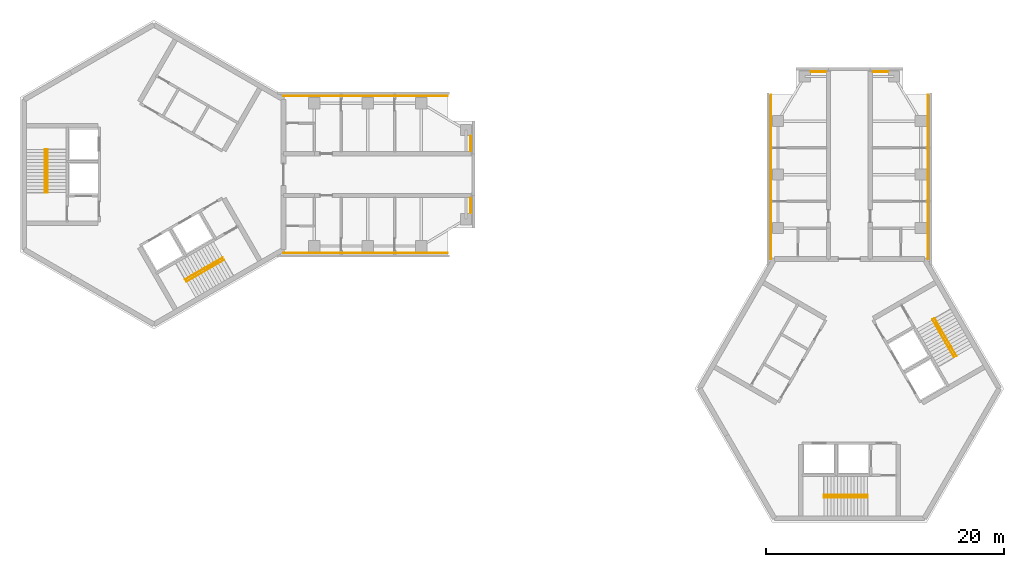
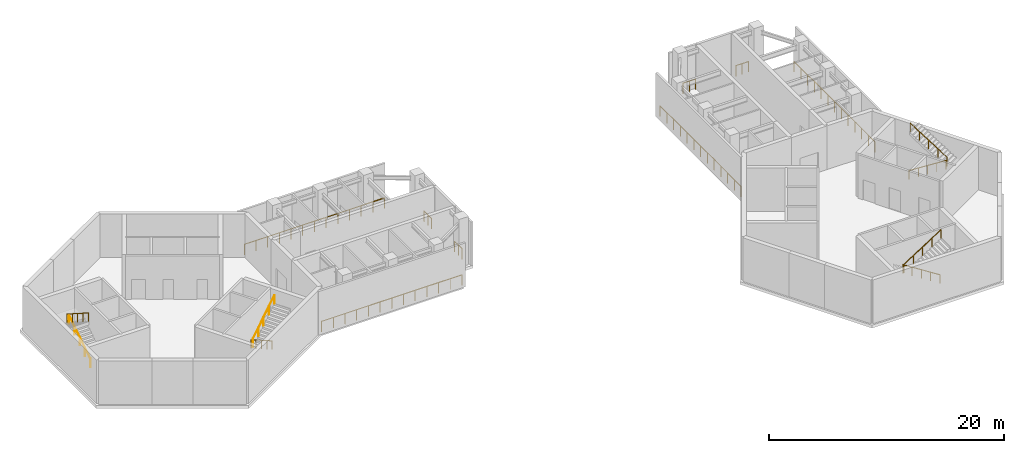
# One storey, part 8 of 8: 16 railings.
"""IFC4 building model written with IfcOpenShell, lengths in metres."""

from ifc_helpers import new_model, si_unit, direction, frame, origin, origin_2d, place, context, subcontext, project, spatial, circle, extrude, material, type_object, element, save


model = new_model("IFC4")

# Units and contexts
model_context = context("Model", 3, precision=1e-05, world=origin(), true_north=direction((0.0, 1.0)))
body_context = subcontext(model_context, "Body", "Model", "MODEL_VIEW")
ifc_project = project(units=[si_unit("LENGTHUNIT", "METRE"), si_unit("AREAUNIT", "SQUARE_METRE"), si_unit("VOLUMEUNIT", "CUBIC_METRE"), si_unit("PLANEANGLEUNIT", "RADIAN"), si_unit("MASSUNIT", "GRAM", prefix="KILO")], contexts=[model_context])

# Site, building, storey
site_placement = place(None, origin())
site = spatial("IfcSite", under=ifc_project, at=site_placement, CompositionType="ELEMENT")
building_placement = place(site_placement, origin())
building = spatial("IfcBuilding", under=site, at=building_placement, Name="Upepo Twin Towers", CompositionType="ELEMENT")
storey_placement = place(building_placement, frame((0.0, 0.0, 291.5)))
storey = spatial("IfcBuildingStorey", under=building, at=storey_placement, Name="L71", CompositionType="ELEMENT", Elevation=291.5)

# Railings
ifc_material_1 = material(Name="Stainless steel and glass", Category="steel")
railing_type_1 = type_object("IfcRailingType", Name="Guard 1100", PredefinedType="GUARDRAIL", material=ifc_material_1)
railing_1_placement = place(storey_placement, frame((10.885009765625, 6.60009765625, 0.0)))
element("IfcRailing", 1, at=railing_1_placement, inside=storey, type_object=railing_type_1, Name="T1 L71 open floor guard", PredefinedType="GUARDRAIL", context=body_context, shape_type="SweptSolid", body=[
    extrude(circle(Radius=0.02392578125, at=origin_2d()), frame((0.0, 0.0, 1.076171875), z_axis=(1.0, 0.0, 0.0), x_axis=(0.0, 1.0, 0.0)), (0.0, 0.0, 1.0), 13.81494140625),
    extrude(circle(Radius=0.02099609375, at=origin_2d()), origin(), (0.0, 0.0, 1.0), 1.052001953125),
    extrude(circle(Radius=0.02099609375, at=origin_2d()), frame((1.1513671875, 0.0, 0.0)), (0.0, 0.0, 1.0), 1.052001953125),
    extrude(circle(Radius=0.02099609375, at=origin_2d()), frame((2.302490234375, 0.0, 0.0)), (0.0, 0.0, 1.0), 1.052001953125),
    extrude(circle(Radius=0.02099609375, at=origin_2d()), frame((3.45361328125, 0.0, 0.0)), (0.0, 0.0, 1.0), 1.052001953125),
    extrude(circle(Radius=0.02099609375, at=origin_2d()), frame((4.60498046875, 0.0, 0.0)), (0.0, 0.0, 1.0), 1.052001953125),
    extrude(circle(Radius=0.02099609375, at=origin_2d()), frame((5.75634765625, 0.0, 0.0)), (0.0, 0.0, 1.0), 1.052001953125),
    extrude(circle(Radius=0.02099609375, at=origin_2d()), frame((6.907470703125, 0.0, 0.0)), (0.0, 0.0, 1.0), 1.052001953125),
    extrude(circle(Radius=0.02099609375, at=origin_2d()), frame((8.05859375, 0.0, 0.0)), (0.0, 0.0, 1.0), 1.052001953125),
    extrude(circle(Radius=0.02099609375, at=origin_2d()), frame((9.2099609375, 0.0, 0.0)), (0.0, 0.0, 1.0), 1.052001953125),
    extrude(circle(Radius=0.02099609375, at=origin_2d()), frame((10.361328125, 0.0, 0.0)), (0.0, 0.0, 1.0), 1.052001953125),
    extrude(circle(Radius=0.02099609375, at=origin_2d()), frame((11.512451171875, 0.0, 0.0)), (0.0, 0.0, 1.0), 1.052001953125),
    extrude(circle(Radius=0.02099609375, at=origin_2d()), frame((12.66357421875, 0.0, 0.0)), (0.0, 0.0, 1.0), 1.052001953125),
    extrude(circle(Radius=0.02099609375, at=origin_2d()), frame((13.81494140625, 0.0, 0.0)), (0.0, 0.0, 1.0), 1.052001953125),
])
railing_2_placement = place(storey_placement, frame((24.699951171875, -6.60009765625, 0.0)))
element("IfcRailing", 2, at=railing_2_placement, inside=storey, type_object=railing_type_1, Name="T1 L71 open floor guard", PredefinedType="GUARDRAIL", context=body_context, shape_type="SweptSolid", body=[
    extrude(circle(Radius=0.02392578125, at=origin_2d()), frame((0.0, 0.0, 1.076171875), z_axis=(-1.0, 0.0, 0.0), x_axis=(0.0, -1.0, 0.0)), (0.0, 0.0, 1.0), 13.81494140625),
    extrude(circle(Radius=0.02099609375, at=origin_2d()), origin(), (0.0, 0.0, 1.0), 1.052001953125),
    extrude(circle(Radius=0.02099609375, at=origin_2d()), frame((-1.1513671875, 0.0, 0.0)), (0.0, 0.0, 1.0), 1.052001953125),
    extrude(circle(Radius=0.02099609375, at=origin_2d()), frame((-2.302490234375, 0.0, 0.0)), (0.0, 0.0, 1.0), 1.052001953125),
    extrude(circle(Radius=0.02099609375, at=origin_2d()), frame((-3.45361328125, 0.0, 0.0)), (0.0, 0.0, 1.0), 1.052001953125),
    extrude(circle(Radius=0.02099609375, at=origin_2d()), frame((-4.60498046875, 0.0, 0.0)), (0.0, 0.0, 1.0), 1.052001953125),
    extrude(circle(Radius=0.02099609375, at=origin_2d()), frame((-5.75634765625, 0.0, 0.0)), (0.0, 0.0, 1.0), 1.052001953125),
    extrude(circle(Radius=0.02099609375, at=origin_2d()), frame((-6.907470703125, 0.0, 0.0)), (0.0, 0.0, 1.0), 1.052001953125),
    extrude(circle(Radius=0.02099609375, at=origin_2d()), frame((-8.05859375, 0.0, 0.0)), (0.0, 0.0, 1.0), 1.052001953125),
    extrude(circle(Radius=0.02099609375, at=origin_2d()), frame((-9.2099609375, 0.0, 0.0)), (0.0, 0.0, 1.0), 1.052001953125),
    extrude(circle(Radius=0.02099609375, at=origin_2d()), frame((-10.361328125, 0.0, 0.0)), (0.0, 0.0, 1.0), 1.052001953125),
    extrude(circle(Radius=0.02099609375, at=origin_2d()), frame((-11.512451171875, 0.0, 0.0)), (0.0, 0.0, 1.0), 1.052001953125),
    extrude(circle(Radius=0.02099609375, at=origin_2d()), frame((-12.66357421875, 0.0, 0.0)), (0.0, 0.0, 1.0), 1.052001953125),
    extrude(circle(Radius=0.02099609375, at=origin_2d()), frame((-13.81494140625, 0.0, 0.0)), (0.0, 0.0, 1.0), 1.052001953125),
])
for number, where, name in (
    (3, (26.64990234375, -3.22509765625, 0.0), "T1 L71 open floor guard"),
    (4, (26.64990234375, 1.97509765625, 0.0), "T1 L71 open floor guard"),
):
    element("IfcRailing", number, at=place(storey_placement, frame(where)), inside=storey, type_object=railing_type_1, Name=name, PredefinedType="GUARDRAIL", context=body_context, shape_type="SweptSolid", body=[
        extrude(circle(Radius=0.02392578125, at=origin_2d()), frame((0.0, 0.0, 1.076171875), z_axis=(0.0, 1.0, 0.0), x_axis=(-1.0, 0.0, 0.0)), (0.0, 0.0, 1.0), 1.25),
        extrude(circle(Radius=0.02099609375, at=origin_2d()), origin(), (0.0, 0.0, 1.0), 1.052001953125),
        extrude(circle(Radius=0.02099609375, at=origin_2d()), frame((0.0, 0.625, 0.0)), (0.0, 0.0, 1.0), 1.052001953125),
        extrude(circle(Radius=0.02099609375, at=origin_2d()), frame((0.0, 1.25, 0.0)), (0.0, 0.0, 1.0), 1.052001953125),
    ])
railing_3_placement = place(storey_placement, frame((51.89990234375, -7.114990234375, 0.0)))
element("IfcRailing", 5, at=railing_3_placement, inside=storey, type_object=railing_type_1, Name="T2 L71 open floor guard", PredefinedType="GUARDRAIL", context=body_context, shape_type="SweptSolid", body=[
    extrude(circle(Radius=0.02392578125, at=origin_2d()), frame((0.0, 0.0, 1.076171875), z_axis=(0.0, 1.0, 0.0), x_axis=(-1.0, 0.0, 0.0)), (0.0, 0.0, 1.0), 13.81494140625),
    extrude(circle(Radius=0.02099609375, at=origin_2d()), origin(), (0.0, 0.0, 1.0), 1.052001953125),
    extrude(circle(Radius=0.02099609375, at=origin_2d()), frame((0.0, 1.1513671875, 0.0)), (0.0, 0.0, 1.0), 1.052001953125),
    extrude(circle(Radius=0.02099609375, at=origin_2d()), frame((0.0, 2.302490234375, 0.0)), (0.0, 0.0, 1.0), 1.052001953125),
    extrude(circle(Radius=0.02099609375, at=origin_2d()), frame((0.0, 3.45361328125, 0.0)), (0.0, 0.0, 1.0), 1.052001953125),
    extrude(circle(Radius=0.02099609375, at=origin_2d()), frame((0.0, 4.60498046875, 0.0)), (0.0, 0.0, 1.0), 1.052001953125),
    extrude(circle(Radius=0.02099609375, at=origin_2d()), frame((0.0, 5.75634765625, 0.0)), (0.0, 0.0, 1.0), 1.052001953125),
    extrude(circle(Radius=0.02099609375, at=origin_2d()), frame((0.0, 6.907470703125, 0.0)), (0.0, 0.0, 1.0), 1.052001953125),
    extrude(circle(Radius=0.02099609375, at=origin_2d()), frame((0.0, 8.05859375, 0.0)), (0.0, 0.0, 1.0), 1.052001953125),
    extrude(circle(Radius=0.02099609375, at=origin_2d()), frame((0.0, 9.2099609375, 0.0)), (0.0, 0.0, 1.0), 1.052001953125),
    extrude(circle(Radius=0.02099609375, at=origin_2d()), frame((0.0, 10.361328125, 0.0)), (0.0, 0.0, 1.0), 1.052001953125),
    extrude(circle(Radius=0.02099609375, at=origin_2d()), frame((0.0, 11.512451171875, 0.0)), (0.0, 0.0, 1.0), 1.052001953125),
    extrude(circle(Radius=0.02099609375, at=origin_2d()), frame((0.0, 12.66357421875, 0.0)), (0.0, 0.0, 1.0), 1.052001953125),
    extrude(circle(Radius=0.02099609375, at=origin_2d()), frame((0.0, 13.81494140625, 0.0)), (0.0, 0.0, 1.0), 1.052001953125),
])
railing_4_placement = place(storey_placement, frame((65.10009765625, 6.699951171875, 0.0)))
element("IfcRailing", 6, at=railing_4_placement, inside=storey, type_object=railing_type_1, Name="T2 L71 open floor guard", PredefinedType="GUARDRAIL", context=body_context, shape_type="SweptSolid", body=[
    extrude(circle(Radius=0.02392578125, at=origin_2d()), frame((0.0, 0.0, 1.076171875), z_axis=(0.0, -1.0, 0.0), x_axis=(1.0, 0.0, 0.0)), (0.0, 0.0, 1.0), 13.81494140625),
    extrude(circle(Radius=0.02099609375, at=origin_2d()), origin(), (0.0, 0.0, 1.0), 1.052001953125),
    extrude(circle(Radius=0.02099609375, at=origin_2d()), frame((0.0, -1.1513671875, 0.0)), (0.0, 0.0, 1.0), 1.052001953125),
    extrude(circle(Radius=0.02099609375, at=origin_2d()), frame((0.0, -2.302490234375, 0.0)), (0.0, 0.0, 1.0), 1.052001953125),
    extrude(circle(Radius=0.02099609375, at=origin_2d()), frame((0.0, -3.45361328125, 0.0)), (0.0, 0.0, 1.0), 1.052001953125),
    extrude(circle(Radius=0.02099609375, at=origin_2d()), frame((0.0, -4.60498046875, 0.0)), (0.0, 0.0, 1.0), 1.052001953125),
    extrude(circle(Radius=0.02099609375, at=origin_2d()), frame((0.0, -5.75634765625, 0.0)), (0.0, 0.0, 1.0), 1.052001953125),
    extrude(circle(Radius=0.02099609375, at=origin_2d()), frame((0.0, -6.907470703125, 0.0)), (0.0, 0.0, 1.0), 1.052001953125),
    extrude(circle(Radius=0.02099609375, at=origin_2d()), frame((0.0, -8.05859375, 0.0)), (0.0, 0.0, 1.0), 1.052001953125),
    extrude(circle(Radius=0.02099609375, at=origin_2d()), frame((0.0, -9.2099609375, 0.0)), (0.0, 0.0, 1.0), 1.052001953125),
    extrude(circle(Radius=0.02099609375, at=origin_2d()), frame((0.0, -10.361328125, 0.0)), (0.0, 0.0, 1.0), 1.052001953125),
    extrude(circle(Radius=0.02099609375, at=origin_2d()), frame((0.0, -11.512451171875, 0.0)), (0.0, 0.0, 1.0), 1.052001953125),
    extrude(circle(Radius=0.02099609375, at=origin_2d()), frame((0.0, -12.66357421875, 0.0)), (0.0, 0.0, 1.0), 1.052001953125),
    extrude(circle(Radius=0.02099609375, at=origin_2d()), frame((0.0, -13.81494140625, 0.0)), (0.0, 0.0, 1.0), 1.052001953125),
])
for number, where, name in (
    (7, (61.72509765625, 8.64990234375, 0.0), "T2 L71 open floor guard"),
    (8, (56.52490234375, 8.64990234375, 0.0), "T2 L71 open floor guard"),
):
    element("IfcRailing", number, at=place(storey_placement, frame(where)), inside=storey, type_object=railing_type_1, Name=name, PredefinedType="GUARDRAIL", context=body_context, shape_type="SweptSolid", body=[
        extrude(circle(Radius=0.02392578125, at=origin_2d()), frame((0.0, 0.0, 1.076171875), z_axis=(-1.0, 0.0, 0.0), x_axis=(0.0, -1.0, 0.0)), (0.0, 0.0, 1.0), 1.25),
        extrude(circle(Radius=0.02099609375, at=origin_2d()), origin(), (0.0, 0.0, 1.0), 1.052001953125),
        extrude(circle(Radius=0.02099609375, at=origin_2d()), frame((-0.625, 0.0, 0.0)), (0.0, 0.0, 1.0), 1.052001953125),
        extrude(circle(Radius=0.02099609375, at=origin_2d()), frame((-1.25, 0.0, 0.0)), (0.0, 0.0, 1.0), 1.052001953125),
    ])
ifc_material_2 = material(Name="Stainless steel", Category="steel")
railing_type_2 = type_object("IfcRailingType", Name="Stair handrail 900", PredefinedType="HANDRAIL", material=ifc_material_2)
railing_5_placement = place(storey_placement, frame((-8.949951171875, -1.52001953125, 0.178466796875)))
element("IfcRailing", 9, at=railing_5_placement, inside=storey, type_object=railing_type_2, Name="T1 stair S1 L71 handrail 1", PredefinedType="HANDRAIL", context=body_context, shape_type="SweptSolid", body=[
    extrude(circle(Radius=0.02392578125, at=origin_2d()), frame((0.0, 0.0, 0.8759765625), z_axis=(0.0, 0.843127859045, 0.537713132908), x_axis=(-1.0, 0.0, 0.0)), (0.0, 0.0, 1.0), 4.3173828125),
    extrude(circle(Radius=0.02099609375, at=origin_2d()), origin(), (0.0, 0.0, 1.0), 0.851806640625),
    extrude(circle(Radius=0.02099609375, at=origin_2d()), frame((0.0, 0.91015625, 0.580322265625)), (0.0, 0.0, 1.0), 0.851806640625),
    extrude(circle(Radius=0.02099609375, at=origin_2d()), frame((0.0, 1.820068359375, 1.16064453125)), (0.0, 0.0, 1.0), 0.851806640625),
    extrude(circle(Radius=0.02099609375, at=origin_2d()), frame((0.0, 2.72998046875, 1.7412109375)), (0.0, 0.0, 1.0), 0.851806640625),
    extrude(circle(Radius=0.02099609375, at=origin_2d()), frame((0.0, 3.64013671875, 2.321533203125)), (0.0, 0.0, 1.0), 0.851806640625),
])
railing_6_placement = place(storey_placement, frame((-9.158447265625, 2.1201171875, 2.678466796875)))
element("IfcRailing", 10, at=railing_6_placement, inside=storey, type_object=railing_type_2, Name="T1 stair S1 L71 handrail 2", PredefinedType="HANDRAIL", context=body_context, shape_type="SweptSolid", body=[
    extrude(circle(Radius=0.02392578125, at=origin_2d()), frame((0.0, 0.0, 0.8759765625), z_axis=(0.0, -0.843127859045, 0.537713132908), x_axis=(1.0, 0.0, 0.0)), (0.0, 0.0, 1.0), 4.3173828125),
    extrude(circle(Radius=0.02099609375, at=origin_2d()), origin(), (0.0, 0.0, 1.0), 0.851806640625),
    extrude(circle(Radius=0.02099609375, at=origin_2d()), frame((0.0, -0.91015625, 0.580322265625)), (0.0, 0.0, 1.0), 0.851806640625),
    extrude(circle(Radius=0.02099609375, at=origin_2d()), frame((0.0, -1.820068359375, 1.16064453125)), (0.0, 0.0, 1.0), 0.851806640625),
    extrude(circle(Radius=0.02099609375, at=origin_2d()), frame((0.0, -2.72998046875, 1.7412109375)), (0.0, 0.0, 1.0), 0.851806640625),
    extrude(circle(Radius=0.02099609375, at=origin_2d()), frame((0.0, -3.64013671875, 2.321533203125)), (0.0, 0.0, 1.0), 0.851806640625),
])
railing_7_placement = place(storey_placement, frame((5.791259765625, -6.990966796875, 0.178466796875)))
element("IfcRailing", 11, at=railing_7_placement, inside=storey, type_object=railing_type_2, Name="T1 stair S2 L71 handrail 1", PredefinedType="HANDRAIL", context=body_context, shape_type="SweptSolid", body=[
    extrude(circle(Radius=0.02392578125, at=origin_2d()), frame((0.0, 0.0, 0.8759765625), z_axis=(-0.730158560966, -0.421571566915, 0.537722874553), x_axis=(0.500012742938, -0.866018046521, 0.0)), (0.0, 0.0, 1.0), 4.3173828125),
    extrude(circle(Radius=0.02099609375, at=origin_2d()), origin(), (0.0, 0.0, 1.0), 0.851806640625),
    extrude(circle(Radius=0.02099609375, at=origin_2d()), frame((-0.7880859375, -0.455078125, 0.580322265625)), (0.0, 0.0, 1.0), 0.851806640625),
    extrude(circle(Radius=0.02099609375, at=origin_2d()), frame((-1.576171875, -0.91015625, 1.16064453125)), (0.0, 0.0, 1.0), 0.851806640625),
    extrude(circle(Radius=0.02099609375, at=origin_2d()), frame((-2.3642578125, -1.364990234375, 1.7412109375)), (0.0, 0.0, 1.0), 0.851806640625),
    extrude(circle(Radius=0.02099609375, at=origin_2d()), frame((-3.15234375, -1.820068359375, 2.321533203125)), (0.0, 0.0, 1.0), 0.851806640625),
])
railing_8_placement = place(storey_placement, frame((2.7431640625, -8.991455078125, 2.678466796875)))
element("IfcRailing", 12, at=railing_8_placement, inside=storey, type_object=railing_type_2, Name="T1 stair S2 L71 handrail 2", PredefinedType="HANDRAIL", context=body_context, shape_type="SweptSolid", body=[
    extrude(circle(Radius=0.02392578125, at=origin_2d()), frame((0.0, 0.0, 0.8759765625), z_axis=(0.730158560966, 0.421571566915, 0.537722874553), x_axis=(-0.500012742938, 0.866018046521, 0.0)), (0.0, 0.0, 1.0), 4.3173828125),
    extrude(circle(Radius=0.02099609375, at=origin_2d()), origin(), (0.0, 0.0, 1.0), 0.851806640625),
    extrude(circle(Radius=0.02099609375, at=origin_2d()), frame((0.7880859375, 0.455078125, 0.580322265625)), (0.0, 0.0, 1.0), 0.851806640625),
    extrude(circle(Radius=0.02099609375, at=origin_2d()), frame((1.576171875, 0.91015625, 1.16064453125)), (0.0, 0.0, 1.0), 0.851806640625),
    extrude(circle(Radius=0.02099609375, at=origin_2d()), frame((2.3642578125, 1.364990234375, 1.7412109375)), (0.0, 0.0, 1.0), 0.851806640625),
    extrude(circle(Radius=0.02099609375, at=origin_2d()), frame((3.15234375, 1.820068359375, 2.321533203125)), (0.0, 0.0, 1.0), 0.851806640625),
])
railing_9_placement = place(storey_placement, frame((60.02001953125, -26.949951171875, 0.178466796875)))
element("IfcRailing", 13, at=railing_9_placement, inside=storey, type_object=railing_type_2, Name="T2 stair S1 L71 handrail 1", PredefinedType="HANDRAIL", context=body_context, shape_type="SweptSolid", body=[
    extrude(circle(Radius=0.02392578125, at=origin_2d()), frame((0.0, 0.0, 0.8759765625), z_axis=(-0.843127859045, 0.0, 0.537713132908), x_axis=(0.0, -1.0, 0.0)), (0.0, 0.0, 1.0), 4.3173828125),
    extrude(circle(Radius=0.02099609375, at=origin_2d()), origin(), (0.0, 0.0, 1.0), 0.851806640625),
    extrude(circle(Radius=0.02099609375, at=origin_2d()), frame((-0.91015625, 0.0, 0.580322265625)), (0.0, 0.0, 1.0), 0.851806640625),
    extrude(circle(Radius=0.02099609375, at=origin_2d()), frame((-1.820068359375, 0.0, 1.16064453125)), (0.0, 0.0, 1.0), 0.851806640625),
    extrude(circle(Radius=0.02099609375, at=origin_2d()), frame((-2.72998046875, 0.0, 1.7412109375)), (0.0, 0.0, 1.0), 0.851806640625),
    extrude(circle(Radius=0.02099609375, at=origin_2d()), frame((-3.64013671875, 0.0, 2.321533203125)), (0.0, 0.0, 1.0), 0.851806640625),
])
railing_10_placement = place(storey_placement, frame((56.3798828125, -27.158447265625, 2.678466796875)))
element("IfcRailing", 14, at=railing_10_placement, inside=storey, type_object=railing_type_2, Name="T2 stair S1 L71 handrail 2", PredefinedType="HANDRAIL", context=body_context, shape_type="SweptSolid", body=[
    extrude(circle(Radius=0.02392578125, at=origin_2d()), frame((0.0, 0.0, 0.8759765625), z_axis=(0.843127859045, 0.0, 0.537713132908), x_axis=(0.0, 1.0, 0.0)), (0.0, 0.0, 1.0), 4.3173828125),
    extrude(circle(Radius=0.02099609375, at=origin_2d()), origin(), (0.0, 0.0, 1.0), 0.851806640625),
    extrude(circle(Radius=0.02099609375, at=origin_2d()), frame((0.91015625, 0.0, 0.580322265625)), (0.0, 0.0, 1.0), 0.851806640625),
    extrude(circle(Radius=0.02099609375, at=origin_2d()), frame((1.820068359375, 0.0, 1.16064453125)), (0.0, 0.0, 1.0), 0.851806640625),
    extrude(circle(Radius=0.02099609375, at=origin_2d()), frame((2.72998046875, 0.0, 1.7412109375)), (0.0, 0.0, 1.0), 0.851806640625),
    extrude(circle(Radius=0.02099609375, at=origin_2d()), frame((3.64013671875, 0.0, 2.321533203125)), (0.0, 0.0, 1.0), 0.851806640625),
])
railing_11_placement = place(storey_placement, frame((65.490966796875, -12.208740234375, 0.178466796875)))
element("IfcRailing", 15, at=railing_11_placement, inside=storey, type_object=railing_type_2, Name="T2 stair S2 L71 handrail 1", PredefinedType="HANDRAIL", context=body_context, shape_type="SweptSolid", body=[
    extrude(circle(Radius=0.02392578125, at=origin_2d()), frame((0.0, 0.0, 0.8759765625), z_axis=(0.421571566915, -0.730158560966, 0.537722874553), x_axis=(0.866018046521, 0.500012742938, 0.0)), (0.0, 0.0, 1.0), 4.3173828125),
    extrude(circle(Radius=0.02099609375, at=origin_2d()), origin(), (0.0, 0.0, 1.0), 0.851806640625),
    extrude(circle(Radius=0.02099609375, at=origin_2d()), frame((0.455078125, -0.7880859375, 0.580322265625)), (0.0, 0.0, 1.0), 0.851806640625),
    extrude(circle(Radius=0.02099609375, at=origin_2d()), frame((0.91015625, -1.576171875, 1.16064453125)), (0.0, 0.0, 1.0), 0.851806640625),
    extrude(circle(Radius=0.02099609375, at=origin_2d()), frame((1.364990234375, -2.3642578125, 1.7412109375)), (0.0, 0.0, 1.0), 0.851806640625),
    extrude(circle(Radius=0.02099609375, at=origin_2d()), frame((1.820068359375, -3.15234375, 2.321533203125)), (0.0, 0.0, 1.0), 0.851806640625),
])
railing_12_placement = place(storey_placement, frame((67.491455078125, -15.2568359375, 2.678466796875)))
element("IfcRailing", 16, at=railing_12_placement, inside=storey, type_object=railing_type_2, Name="T2 stair S2 L71 handrail 2", PredefinedType="HANDRAIL", context=body_context, shape_type="SweptSolid", body=[
    extrude(circle(Radius=0.02392578125, at=origin_2d()), frame((0.0, 0.0, 0.8759765625), z_axis=(-0.421571566915, 0.730158560966, 0.537722874553), x_axis=(-0.866018046521, -0.500012742938, 0.0)), (0.0, 0.0, 1.0), 4.3173828125),
    extrude(circle(Radius=0.02099609375, at=origin_2d()), origin(), (0.0, 0.0, 1.0), 0.851806640625),
    extrude(circle(Radius=0.02099609375, at=origin_2d()), frame((-0.455078125, 0.7880859375, 0.580322265625)), (0.0, 0.0, 1.0), 0.851806640625),
    extrude(circle(Radius=0.02099609375, at=origin_2d()), frame((-0.91015625, 1.576171875, 1.16064453125)), (0.0, 0.0, 1.0), 0.851806640625),
    extrude(circle(Radius=0.02099609375, at=origin_2d()), frame((-1.364990234375, 2.3642578125, 1.7412109375)), (0.0, 0.0, 1.0), 0.851806640625),
    extrude(circle(Radius=0.02099609375, at=origin_2d()), frame((-1.820068359375, 3.15234375, 2.321533203125)), (0.0, 0.0, 1.0), 0.851806640625),
])

save(model, "model.ifc")
